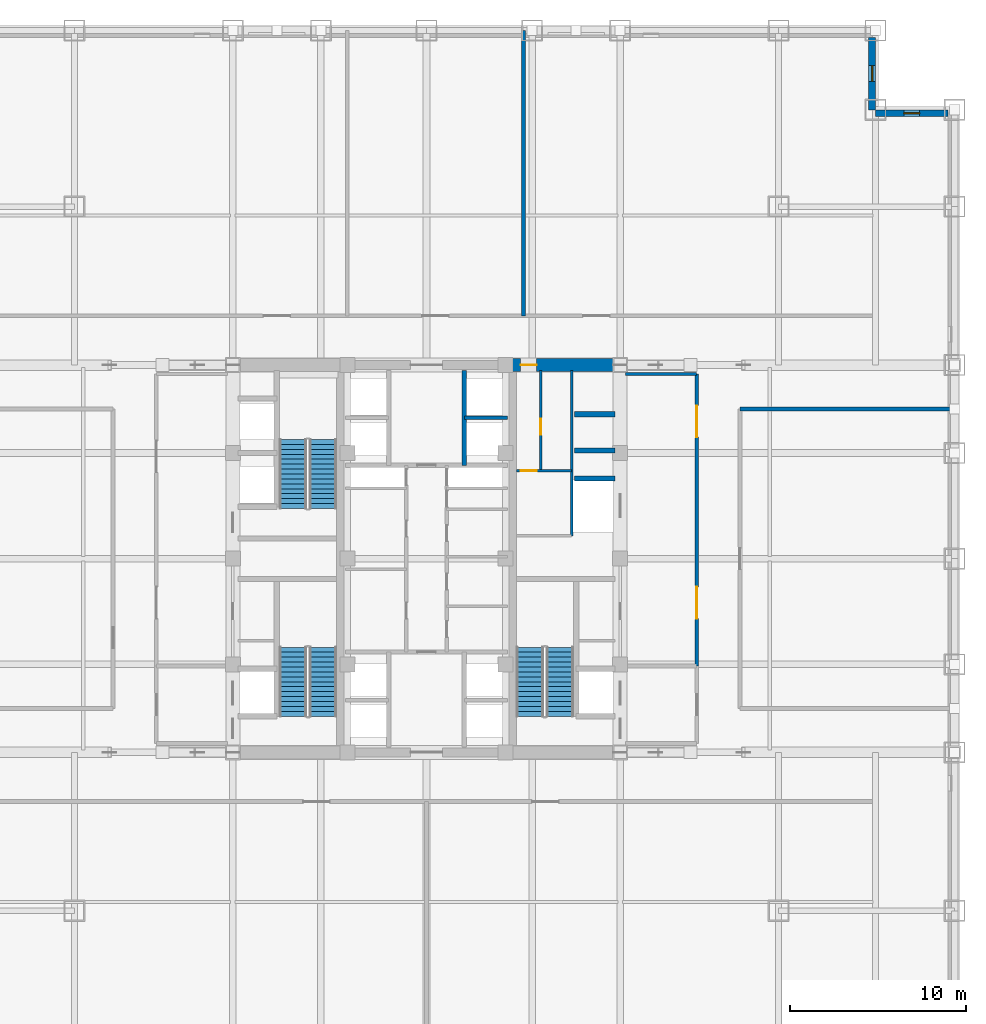
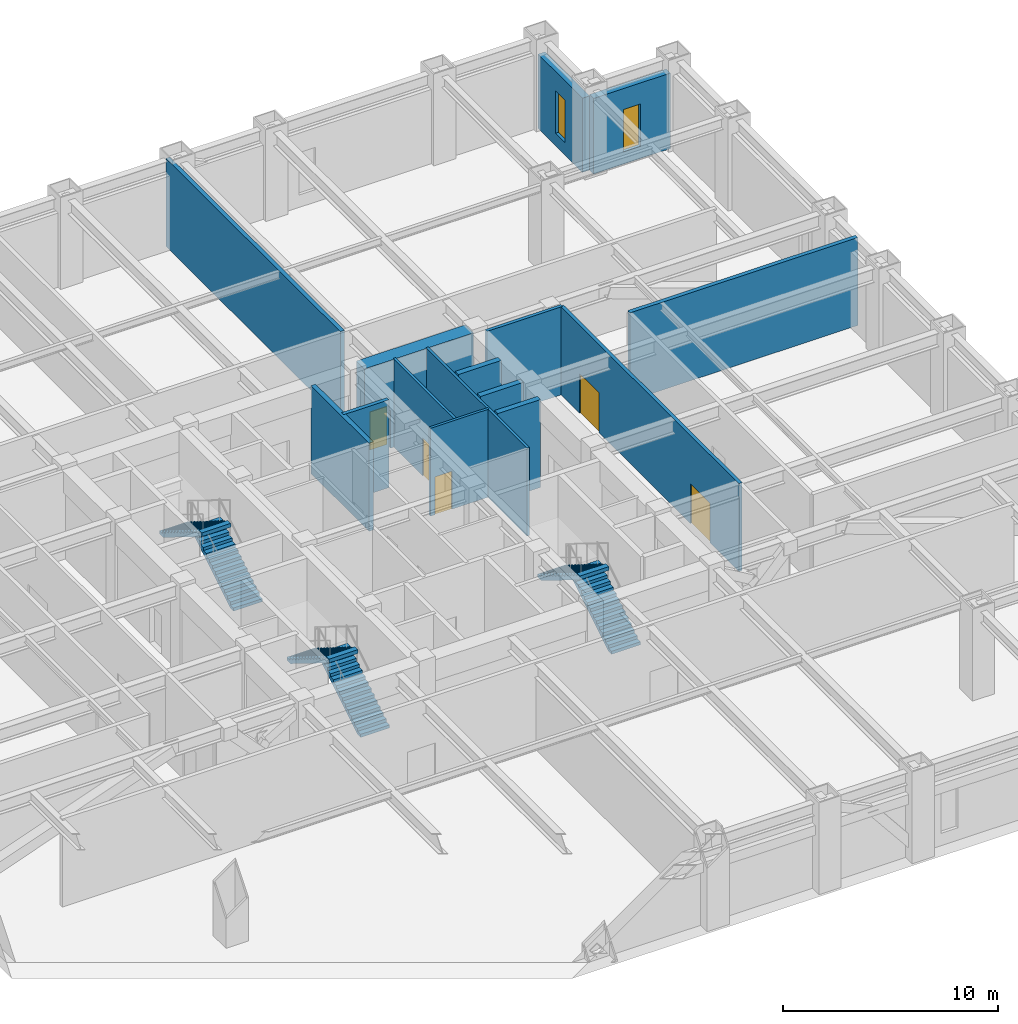
# One storey, part 10 of 12: 15 walls, 6 stair flights, 5 doors, 2 windows, 7 openings, 3 elements without a shape of their own.
"""IFC4 building model written with IfcOpenShell, lengths in metres."""

from ifc_helpers import new_model, si_unit, direction, frame, frame_2d, origin, place, context, subcontext, project, spatial, polyline, rectangle, outline, extrude, source, transform, mapped, material, layer, layer_set, type_object, element, fill, aggregate, save


model = new_model("IFC4")

# Units and contexts
model_context = context("Model", 3, precision=1e-05, world=origin(), true_north=direction((0.0, 1.0)))
body_context = subcontext(model_context, "Body", "Model", "MODEL_VIEW")
ifc_project = project(units=[si_unit("LENGTHUNIT", "METRE"), si_unit("AREAUNIT", "SQUARE_METRE"), si_unit("VOLUMEUNIT", "CUBIC_METRE"), si_unit("PLANEANGLEUNIT", "RADIAN"), si_unit("MASSUNIT", "GRAM", prefix="KILO")], contexts=[model_context])

# Site, building, storey
site_placement = place(None, origin())
site = spatial("IfcSite", under=ifc_project, at=site_placement, CompositionType="ELEMENT")
building_placement = place(site_placement, origin())
building = spatial("IfcBuilding", under=site, at=building_placement, Name="Khorayat Bourse Tower", CompositionType="ELEMENT")
storey_placement = place(building_placement, frame((0.0, 0.0, 149.89990234375)))
storey = spatial("IfcBuildingStorey", under=building, at=storey_placement, Name="L34", CompositionType="ELEMENT", Elevation=149.89990234375)

# Wall, opening, door
ifc_material_1 = material(Name="Concrete C72/90", Category="concrete")
ifc_layer_1 = layer(ifc_material_1, 0.75)
ifc_layer_set_1 = layer_set([ifc_layer_1], Name="Concrete C72/90")
wall_type_1 = type_object("IfcWallType", Name="WAL-CORE-750", PredefinedType="SHEAR", material=ifc_layer_set_1)
shared_shape_1 = source(origin(), body_context, "Body", "SweptSolid", [
    extrude(rectangle(XDim=5.849853515625, YDim=0.75, at=frame_2d((2.9248046875, 0.0))), origin(), (0.0, 0.0, 1.0), 4.97998046875),
])
wall_1_placement = place(storey_placement, frame((4.85009765625, 11.0, 0.0), z_axis=(0.0, 0.0, 1.0), x_axis=(1.0, 0.0, 0.0)))
wall_1 = element("IfcWall", 1, at=wall_1_placement, inside=storey, type_object=wall_type_1, Name="L34 Core Shear Wall PIER-EN", PredefinedType="SHEAR", context=body_context, shape_type="MappedRepresentation", body=[
    mapped(shared_shape_1, transform((0.0, 0.0, 0.0), scale=1.0)),
])
shared_shape_2 = source(origin(), body_context, "Body", "SweptSolid", [
    extrude(rectangle(XDim=0.89990234375, YDim=2.14990234375, at=frame_2d((0.449951171875, 1.074951171875))), frame((0.0, 0.385009765625, 0.0), z_axis=(0.0, -1.0, 0.0), x_axis=(1.0, 0.0, 0.0)), (0.0, 0.0, 1.0), 0.77001953125),
])
opening_1_placement = place(wall_1_placement, frame((0.5, 0.0, 0.0)))
opening_1 = element("IfcOpeningElement", 2, at=opening_1_placement, cuts=wall_1, Name="Opening DI-06", PredefinedType="OPENING", context=body_context, shape_type="MappedRepresentation", body=[
    mapped(shared_shape_2, transform((0.0, 0.0, 0.0), scale=1.0)),
])
ifc_material_2 = material(Name="Moisture-resistant laminate washroom door")
door_type_1 = type_object("IfcDoorType", Name="DR-INT-WC-900", OperationType="NOTDEFINED", PredefinedType="DOOR", material=ifc_material_2)
shared_shape_3 = source(origin(), body_context, "Body", "SweptSolid", [
    extrude(rectangle(XDim=0.89990234375, YDim=2.14990234375, at=frame_2d((0.449951171875, 1.074951171875))), frame((0.0, 0.02490234375, 0.0), z_axis=(0.0, -1.0, 0.0), x_axis=(1.0, 0.0, 0.0)), (0.0, 0.0, 1.0), 0.050048828125),
])
door_1_placement = place(opening_1_placement, origin())
door_1 = element("IfcDoor", 3, at=door_1_placement, inside=storey, type_object=door_type_1, Name="L34 Core Washroom Lobby Door", OperationType="SINGLE_SWING_LEFT", OverallHeight=2.14990234375, OverallWidth=0.89990234375, PredefinedType="DOOR", context=body_context, shape_type="MappedRepresentation", body=[
    mapped(shared_shape_3, transform((0.0, 0.0, 0.0), scale=1.0)),
])
fill(opening_1, door_1)

# Wall, opening, window
ifc_material_3 = material(Name="Precast concrete C45/55", Category="concrete")
ifc_layer_2 = layer(ifc_material_3, 0.3798828125)
ifc_layer_set_2 = layer_set([ifc_layer_2], Name="Precast concrete C45/55")
wall_type_2 = type_object("IfcWallType", Name="WAL-EXT-STONE-380", PredefinedType="STANDARD", material=ifc_layer_set_2)
shared_shape_4 = source(origin(), body_context, "Body", "SweptSolid", [
    extrude(rectangle(XDim=4.1201171875, YDim=0.3798828125, at=frame_2d((2.06005859375, 0.0))), origin(), (0.0, 0.0, 1.0), 4.28515625),
])
wall_2_placement = place(storey_placement, frame((25.5, 25.31005859375, 0.0), z_axis=(0.0, 0.0, 1.0), x_axis=(1.0, 0.0, 0.0)))
wall_2 = element("IfcWall", 4, at=wall_2_placement, inside=storey, type_object=wall_type_2, Name="L34 Re-Entrant Notch Limestone Wall NE-H", PredefinedType="STANDARD", context=body_context, shape_type="MappedRepresentation", body=[
    mapped(shared_shape_4, transform((0.0, 0.0, 0.0), scale=1.0)),
])
shared_shape_5 = source(origin(), body_context, "Body", "SweptSolid", [
    extrude(rectangle(XDim=0.89990234375, YDim=2.39990234375, at=frame_2d((0.449951171875, 1.199951171875))), frame((0.0, 0.199951171875, 0.0), z_axis=(0.0, -1.0, 0.0), x_axis=(1.0, 0.0, 0.0)), (0.0, 0.0, 1.0), 0.39990234375),
])
opening_2_placement = place(wall_2_placement, frame((1.610107421875, 0.0, 0.699951171875)))
opening_2 = element("IfcOpeningElement", 5, at=opening_2_placement, cuts=wall_2, Name="Opening WN-03", PredefinedType="OPENING", context=body_context, shape_type="MappedRepresentation", body=[
    mapped(shared_shape_5, transform((0.0, 0.0, 0.0), scale=1.0)),
])
ifc_material_4 = material(Name="Deep-reveal solar-control double glazing", Category="glass")
window_type = type_object("IfcWindowType", Name="WIN-SLOT-900x2400", PartitioningType="SINGLE_PANEL", PredefinedType="WINDOW", material=ifc_material_4)
shared_shape_6 = source(origin(), body_context, "Body", "SweptSolid", [
    extrude(rectangle(XDim=0.89990234375, YDim=2.39990234375, at=frame_2d((0.449951171875, 1.199951171875))), frame((0.0, 0.030029296875, 0.0), z_axis=(0.0, -1.0, 0.0), x_axis=(1.0, 0.0, 0.0)), (0.0, 0.0, 1.0), 0.06005859375),
])
window_1_placement = place(opening_2_placement, origin())
window_1 = element("IfcWindow", 6, at=window_1_placement, inside=storey, type_object=window_type, Name="L34 Facade Window 1", OverallHeight=2.39990234375, OverallWidth=0.89990234375, PartitioningType="SINGLE_PANEL", PredefinedType="WINDOW", context=body_context, shape_type="MappedRepresentation", body=[
    mapped(shared_shape_6, transform((0.0, 0.0, 0.0), scale=1.0)),
])
fill(opening_2, window_1)

shared_shape_7 = source(origin(), body_context, "Body", "SweptSolid", [
    extrude(rectangle(XDim=4.1201171875, YDim=0.3798828125, at=frame_2d((2.06005859375, 0.0))), origin(), (0.0, 0.0, 1.0), 4.205078125),
])
wall_3_placement = place(storey_placement, frame((25.31005859375, 25.5, 0.0), z_axis=(0.0, 0.0, 1.0), x_axis=(0.0, 1.0, 0.0)))
wall_3 = element("IfcWall", 7, at=wall_3_placement, inside=storey, type_object=wall_type_2, Name="L34 Re-Entrant Notch Limestone Wall NE-V", PredefinedType="STANDARD", context=body_context, shape_type="MappedRepresentation", body=[
    mapped(shared_shape_7, transform((0.0, 0.0, 0.0), scale=1.0)),
])
opening_3_placement = place(wall_3_placement, frame((1.610107421875, 0.0, 0.699951171875)))
opening_3 = element("IfcOpeningElement", 8, at=opening_3_placement, cuts=wall_3, Name="Opening WN-03", PredefinedType="OPENING", context=body_context, shape_type="MappedRepresentation", body=[
    mapped(shared_shape_5, transform((0.0, 0.0, 0.0), scale=1.0)),
])
window_2_placement = place(opening_3_placement, origin())
window_2 = element("IfcWindow", 9, at=window_2_placement, inside=storey, type_object=window_type, Name="L34 Facade Window 1", OverallHeight=2.39990234375, OverallWidth=0.89990234375, PartitioningType="SINGLE_PANEL", PredefinedType="WINDOW", context=body_context, shape_type="MappedRepresentation", body=[
    mapped(shared_shape_6, transform((0.0, 0.0, 0.0), scale=1.0)),
])
fill(opening_3, window_2)

# Walls
ifc_material_5 = material(Name="Concrete C50/60", Category="concrete")
ifc_layer_3 = layer(ifc_material_5, 0.300048828125)
ifc_layer_set_3 = layer_set([ifc_layer_3], Name="Concrete C50/60")
wall_type_3 = type_object("IfcWallType", Name="WAL-SHAFT-300", PredefinedType="SHEAR", material=ifc_layer_set_3)
shared_shape_8 = source(origin(), body_context, "Body", "SweptSolid", [
    extrude(rectangle(XDim=2.300048828125, YDim=0.300048828125, at=frame_2d((1.14990234375, 0.0))), origin(), (0.0, 0.0, 1.0), 4.97998046875),
])
for number, where, z_axis, x_axis, name in (
    (10, (8.39990234375, 4.550048828125, 0.0), (0.0, 0.0, 1.0), (1.0, 0.0, 0.0), "L34 Partition WAL-L34-EPIER-SVLN"),
    (11, (8.39990234375, 6.14990234375, 0.0), (0.0, 0.0, 1.0), (1.0, 0.0, 0.0), "L34 Partition WAL-L34-EPIER-H3S"),
    (12, (8.39990234375, 8.199951171875, 0.0), (0.0, 0.0, 1.0), (1.0, 0.0, 0.0), "L34 Partition WAL-L34-EPIER-H34"),
):
    element("IfcWall", number, at=place(storey_placement, frame(where, z_axis=z_axis, x_axis=x_axis)), inside=storey, type_object=wall_type_3, Name=name, PredefinedType="SHEAR", context=body_context, shape_type="MappedRepresentation", body=[
        mapped(shared_shape_8, transform((0.0, 0.0, 0.0), scale=1.0)),
    ])
ifc_material_6 = material(Name="Moisture-resistant masonry partition", Category="masonry")
ifc_layer_4 = layer(ifc_material_6, 0.139892578125)
ifc_layer_set_4 = layer_set([ifc_layer_4], Name="Moisture-resistant masonry partition")
wall_type_4 = type_object("IfcWallType", Name="WAL-PART-WET-140", PredefinedType="PARTITIONING", material=ifc_layer_set_4)
shared_shape_9 = source(origin(), body_context, "Body", "SweptSolid", [
    extrude(rectangle(XDim=9.39990234375, YDim=0.139892578125, at=frame_2d((4.699951171875, 0.0))), origin(), (0.0, 0.0, 1.0), 4.97998046875),
])
wall_4_placement = place(storey_placement, frame((8.25, 1.300048828125, 0.0), z_axis=(0.0, 0.0, 1.0), x_axis=(0.0, 1.0, 0.0)))
element("IfcWall", 13, at=wall_4_placement, inside=storey, type_object=wall_type_4, Name="L34 Partition WAL-L34-ECORE-E", PredefinedType="PARTITIONING", context=body_context, shape_type="MappedRepresentation", body=[
    mapped(shared_shape_9, transform((0.0, 0.0, 0.0), scale=1.0)),
])

# Wall, opening, door
shared_shape_10 = source(origin(), body_context, "Body", "SweptSolid", [
    extrude(rectangle(XDim=3.14990234375, YDim=0.139892578125, at=frame_2d((1.574951171875, 0.0))), origin(), (0.0, 0.0, 1.0), 4.97998046875),
])
wall_5_placement = place(storey_placement, frame((5.10009765625, 5.0, 0.0), z_axis=(0.0, 0.0, 1.0), x_axis=(1.0, 0.0, 0.0)))
wall_5 = element("IfcWall", 14, at=wall_5_placement, inside=storey, type_object=wall_type_4, Name="L34 Partition WAL-L34-ECW-BOT", PredefinedType="PARTITIONING", context=body_context, shape_type="MappedRepresentation", body=[
    mapped(shared_shape_10, transform((0.0, 0.0, 0.0), scale=1.0)),
])
shared_shape_11 = source(origin(), body_context, "Body", "SweptSolid", [
    extrude(rectangle(XDim=0.89990234375, YDim=2.14990234375, at=frame_2d((0.449951171875, 1.074951171875))), frame((0.0, 0.079833984375, 0.0), z_axis=(0.0, -1.0, 0.0), x_axis=(1.0, 0.0, 0.0)), (0.0, 0.0, 1.0), 0.159912109375),
])
opening_4_placement = place(wall_5_placement, frame((0.25, 0.0, 0.0)))
opening_4 = element("IfcOpeningElement", 15, at=opening_4_placement, cuts=wall_5, Name="Opening DI-06", PredefinedType="OPENING", context=body_context, shape_type="MappedRepresentation", body=[
    mapped(shared_shape_11, transform((0.0, 0.0, 0.0), scale=1.0)),
])
door_2_placement = place(opening_4_placement, origin())
door_2 = element("IfcDoor", 16, at=door_2_placement, inside=storey, type_object=door_type_1, Name="L34 Shared Washroom Door", OperationType="SINGLE_SWING_LEFT", OverallHeight=2.14990234375, OverallWidth=0.89990234375, PredefinedType="DOOR", context=body_context, shape_type="MappedRepresentation", body=[
    mapped(shared_shape_3, transform((0.0, 0.0, 0.0), scale=1.0)),
])
fill(opening_4, door_2)

shared_shape_12 = source(origin(), body_context, "Body", "SweptSolid", [
    extrude(rectangle(XDim=5.699951171875, YDim=0.139892578125, at=frame_2d((2.85009765625, 0.0))), origin(), (0.0, 0.0, 1.0), 4.97998046875),
])
wall_6_placement = place(storey_placement, frame((6.5, 5.0, 0.0), z_axis=(0.0, 0.0, 1.0), x_axis=(0.0, 1.0, 0.0)))
wall_6 = element("IfcWall", 17, at=wall_6_placement, inside=storey, type_object=wall_type_4, Name="L34 Partition WAL-L34-ECW-MID", PredefinedType="PARTITIONING", context=body_context, shape_type="MappedRepresentation", body=[
    mapped(shared_shape_12, transform((0.0, 0.0, 0.0), scale=1.0)),
])
opening_5_placement = place(wall_6_placement, frame((2.050048828125, 0.0, 0.0)))
opening_5 = element("IfcOpeningElement", 18, at=opening_5_placement, cuts=wall_6, Name="Opening DI-06", PredefinedType="OPENING", context=body_context, shape_type="MappedRepresentation", body=[
    mapped(shared_shape_11, transform((0.0, 0.0, 0.0), scale=1.0)),
])
door_3_placement = place(opening_5_placement, origin())
door_3 = element("IfcDoor", 19, at=door_3_placement, inside=storey, type_object=door_type_1, Name="L34 Accessible WC Door", OperationType="SINGLE_SWING_RIGHT", OverallHeight=2.14990234375, OverallWidth=0.89990234375, PredefinedType="DOOR", context=body_context, shape_type="MappedRepresentation", body=[
    mapped(shared_shape_3, transform((0.0, 0.0, 0.0), scale=1.0)),
])
fill(opening_5, door_3)

# Wall
ifc_material_7 = material(Name="Gypsum plasterboard acoustic stud wall")
ifc_layer_5 = layer(ifc_material_7, 0.179931640625)
ifc_layer_set_5 = layer_set([ifc_layer_5], Name="Gypsum plasterboard acoustic stud wall")
wall_type_5 = type_object("IfcWallType", Name="WAL-PART-CORR-180", PredefinedType="PARTITIONING", material=ifc_layer_set_5)
shared_shape_13 = source(origin(), body_context, "Body", "SweptSolid", [
    extrude(rectangle(XDim=4.050048828125, YDim=0.179931640625, at=frame_2d((2.02490234375, 0.0))), origin(), (0.0, 0.0, 1.0), 4.97998046875),
])
wall_7_placement = place(storey_placement, frame((11.300048828125, 10.5, 0.0), z_axis=(0.0, 0.0, 1.0), x_axis=(1.0, 0.0, 0.0)))
element("IfcWall", 20, at=wall_7_placement, inside=storey, type_object=wall_type_5, Name="L34 Partition WAL-L34-ELOB-N", PredefinedType="PARTITIONING", context=body_context, shape_type="MappedRepresentation", body=[
    mapped(shared_shape_13, transform((0.0, 0.0, 0.0), scale=1.0)),
])

# Wall, openings, doors
shared_shape_14 = source(origin(), body_context, "Body", "SweptSolid", [
    extrude(rectangle(XDim=16.60009765625, YDim=0.179931640625, at=frame_2d((8.300048828125, 0.0))), origin(), (0.0, 0.0, 1.0), 4.97998046875),
])
wall_8_placement = place(storey_placement, frame((15.35009765625, -6.10009765625, 0.0), z_axis=(0.0, 0.0, 1.0), x_axis=(0.0, 1.0, 0.0)))
wall_8 = element("IfcWall", 21, at=wall_8_placement, inside=storey, type_object=wall_type_5, Name="L34 Partition WAL-L34-ELOB-E", PredefinedType="PARTITIONING", context=body_context, shape_type="MappedRepresentation", body=[
    mapped(shared_shape_14, transform((0.0, 0.0, 0.0), scale=1.0)),
])
shared_shape_15 = source(origin(), body_context, "Body", "SweptSolid", [
    extrude(rectangle(XDim=1.800048828125, YDim=2.25, at=frame_2d((0.89990234375, 1.125))), frame((0.0, 0.099853515625, 0.0), z_axis=(0.0, -1.0, 0.0), x_axis=(1.0, 0.0, 0.0)), (0.0, 0.0, 1.0), 0.199951171875),
])
opening_6_placement = place(wall_8_placement, frame((2.699951171875, 0.0, 0.0)))
opening_6 = element("IfcOpeningElement", 22, at=opening_6_placement, cuts=wall_8, Name="Opening DI-03", PredefinedType="OPENING", context=body_context, shape_type="MappedRepresentation", body=[
    mapped(shared_shape_15, transform((0.0, 0.0, 0.0), scale=1.0)),
])
opening_7_placement = place(wall_8_placement, frame((13.0, 0.0, 0.0)))
opening_7 = element("IfcOpeningElement", 23, at=opening_7_placement, cuts=wall_8, Name="Opening DI-03", PredefinedType="OPENING", context=body_context, shape_type="MappedRepresentation", body=[
    mapped(shared_shape_15, transform((0.0, 0.0, 0.0), scale=1.0)),
])
ifc_material_8 = material(Name="Fire-rated hardwood vision-panel double leaf", Category="wood")
door_type_2 = type_object("IfcDoorType", Name="DR-INT-CORR-1800", OperationType="NOTDEFINED", PredefinedType="DOOR", material=ifc_material_8)
shared_shape_16 = source(origin(), body_context, "Body", "SweptSolid", [
    extrude(rectangle(XDim=1.800048828125, YDim=2.25, at=frame_2d((0.89990234375, 1.125))), frame((0.0, 0.02490234375, 0.0), z_axis=(0.0, -1.0, 0.0), x_axis=(1.0, 0.0, 0.0)), (0.0, 0.0, 1.0), 0.050048828125),
])
door_4_placement = place(opening_6_placement, origin())
door_4 = element("IfcDoor", 24, at=door_4_placement, inside=storey, type_object=door_type_2, Name="L34 East Core Lobby South Door", OperationType="SINGLE_SWING_RIGHT", OverallHeight=2.25, OverallWidth=1.800048828125, PredefinedType="DOOR", context=body_context, shape_type="MappedRepresentation", body=[
    mapped(shared_shape_16, transform((0.0, 0.0, 0.0), scale=1.0)),
])
fill(opening_6, door_4)
door_5_placement = place(opening_7_placement, origin())
door_5 = element("IfcDoor", 25, at=door_5_placement, inside=storey, type_object=door_type_2, Name="L34 East Core Lobby North Door", OperationType="SINGLE_SWING_LEFT", OverallHeight=2.25, OverallWidth=1.800048828125, PredefinedType="DOOR", context=body_context, shape_type="MappedRepresentation", body=[
    mapped(shared_shape_16, transform((0.0, 0.0, 0.0), scale=1.0)),
])
fill(opening_7, door_5)

# Walls
shared_shape_17 = source(origin(), body_context, "Body", "SweptSolid", [
    extrude(rectangle(XDim=5.39990234375, YDim=0.25, at=frame_2d((2.699951171875, 0.0))), origin(), (0.0, 0.0, 1.0), 4.97998046875),
])
wall_9_placement = place(storey_placement, frame((2.14990234375, 5.300048828125, 0.0), z_axis=(0.0, 0.0, 1.0), x_axis=(0.0, 1.0, 0.0)))
element("IfcWall", 26, at=wall_9_placement, inside=storey, type_object=wall_type_3, Name="L34 Partition WAL-L34-B2-E", PredefinedType="SHEAR", context=body_context, shape_type="MappedRepresentation", body=[
    mapped(shared_shape_17, transform((0.0, 0.0, 0.0), scale=1.0)),
])
shared_shape_18 = source(origin(), body_context, "Body", "SweptSolid", [
    extrude(rectangle(XDim=2.4501953125, YDim=0.199951171875, at=frame_2d((1.22509765625, 0.0))), origin(), (0.0, 0.0, 1.0), 4.97998046875),
])
wall_10_placement = place(storey_placement, frame((2.14990234375, 8.0, 0.0), z_axis=(0.0, 0.0, 1.0), x_axis=(1.0, 0.0, 0.0)))
element("IfcWall", 27, at=wall_10_placement, inside=storey, type_object=wall_type_3, Name="L34 Partition WAL-L34-B2-ME", PredefinedType="SHEAR", context=body_context, shape_type="MappedRepresentation", body=[
    mapped(shared_shape_18, transform((0.0, 0.0, 0.0), scale=1.0)),
])
ifc_material_9 = material(Name="Aerated concrete blockwork", Category="masonry")
ifc_layer_6 = layer(ifc_material_9, 0.219970703125)
ifc_layer_set_6 = layer_set([ifc_layer_6], Name="Aerated concrete blockwork")
wall_type_6 = type_object("IfcWallType", Name="WAL-PART-FF-220", PredefinedType="PARTITIONING", material=ifc_layer_set_6)
shared_shape_19 = source(origin(), body_context, "Body", "SweptSolid", [
    extrude(rectangle(XDim=16.199951171875, YDim=0.219970703125, at=frame_2d((8.10009765625, 0.0))), origin(), (0.0, 0.0, 1.0), 4.97998046875),
])
wall_11_placement = place(storey_placement, frame((5.5, 13.800048828125, 0.0), z_axis=(0.0, 0.0, 1.0), x_axis=(0.0, 1.0, 0.0)))
element("IfcWall", 28, at=wall_11_placement, inside=storey, type_object=wall_type_6, Name="L34 Partition WAL-L34-PLN-D2", PredefinedType="PARTITIONING", context=body_context, shape_type="MappedRepresentation", body=[
    mapped(shared_shape_19, transform((0.0, 0.0, 0.0), scale=1.0)),
])
shared_shape_20 = source(origin(), body_context, "Body", "SweptSolid", [
    extrude(rectangle(XDim=12.199951171875, YDim=0.219970703125, at=frame_2d((6.10009765625, 0.0))), origin(), (0.0, 0.0, 1.0), 4.97998046875),
])
wall_12_placement = place(storey_placement, frame((17.800048828125, 8.5, 0.0), z_axis=(0.0, 0.0, 1.0), x_axis=(1.0, 0.0, 0.0)))
element("IfcWall", 29, at=wall_12_placement, inside=storey, type_object=wall_type_6, Name="L34 Partition WAL-L34-PLE-N", PredefinedType="PARTITIONING", context=body_context, shape_type="MappedRepresentation", body=[
    mapped(shared_shape_20, transform((0.0, 0.0, 0.0), scale=1.0)),
])

# Stair, stair flights
ifc_material_10 = material(Name="Concrete C40/50", Category="concrete")
stair_type = type_object("IfcStairType", Name="STR-CORE-1550", PredefinedType="HALF_TURN_STAIR", material=ifc_material_10)
stair_1_placement = place(storey_placement, origin())
stair_1 = element("IfcStair", 30, at=stair_1_placement, inside=storey, type_object=stair_type, Name="L34 Exit Stair ST-1", PredefinedType="HALF_TURN_STAIR")
stair_flight_type = type_object("IfcStairFlightType", Name="FLT-CORE-1550", PredefinedType="STRAIGHT", material=ifc_material_10)
shared_shape_21 = source(origin(), body_context, "Body", "SweptSolid", [
    extrude(outline(polyline([(0.0, 0.0), (0.0, 0.17333984375), (0.280029296875, 0.17333984375), (0.280029296875, 0.3466796875), (0.56005859375, 0.3466796875), (0.56005859375, 0.52001953125), (0.840087890625, 0.52001953125), (0.840087890625, 0.693359375), (1.1201171875, 0.693359375), (1.1201171875, 0.86669921875), (1.39990234375, 0.86669921875), (1.39990234375, 1.0400390625), (1.679931640625, 1.0400390625), (1.679931640625, 1.21337890625), (1.9599609375, 1.21337890625), (1.9599609375, 1.38671875), (2.239990234375, 1.38671875), (2.239990234375, 1.56005859375), (2.52001953125, 1.56005859375), (2.52001953125, 1.7333984375), (2.800048828125, 1.7333984375), (2.800048828125, 1.90673828125), (3.080078125, 1.90673828125), (3.080078125, 2.080078125), (3.360107421875, 2.080078125), (3.360107421875, 2.25341796875), (3.639892578125, 2.25341796875), (3.639892578125, 2.4267578125), (3.919921875, 2.4267578125), (3.919921875, 2.60009765625), (3.919921875, 2.215087890625), (0.341796875, 0.0), (0.0, 0.0)])), frame((0.0, 0.77490234375, 0.0), z_axis=(0.0, -1.0, 0.0), x_axis=(1.0, 0.0, 0.0)), (0.0, 0.0, 1.0), 1.550048828125),
])
stair_flight_1_placement = place(storey_placement, frame((-5.875, -8.949951171875, 0.0), z_axis=(0.0, 0.0, 1.0), x_axis=(0.0, 1.0, 0.0)))
stair_flight_1 = element("IfcStairFlight", 31, at=stair_flight_1_placement, type_object=stair_flight_type, Name="ST-1 flight 1", NumberOfRisers=15, NumberOfTreads=14, PredefinedType="STRAIGHT", RiserHeight=0.173333333, TreadLength=0.28, context=body_context, shape_type="MappedRepresentation", body=[
    mapped(shared_shape_21, transform((0.0, 0.0, 0.0), scale=1.0)),
])
stair_flight_2_placement = place(storey_placement, frame((-7.574951171875, -5.030029296875, 2.60009765625), z_axis=(0.0, 0.0, 1.0), x_axis=(0.0, -1.0, 0.0)))
stair_flight_2 = element("IfcStairFlight", 32, at=stair_flight_2_placement, type_object=stair_flight_type, Name="ST-1 flight 2", NumberOfRisers=15, NumberOfTreads=14, PredefinedType="STRAIGHT", RiserHeight=0.173333333, TreadLength=0.28, context=body_context, shape_type="MappedRepresentation", body=[
    mapped(shared_shape_21, transform((0.0, 0.0, 0.0), scale=1.0)),
])
aggregate(stair_1, [stair_flight_1, stair_flight_2])

stair_2_placement = place(storey_placement, origin())
stair_2 = element("IfcStair", 33, at=stair_2_placement, inside=storey, type_object=stair_type, Name="L34 Exit Stair ST-2", PredefinedType="HALF_TURN_STAIR")
stair_flight_3_placement = place(storey_placement, frame((-5.875, 2.85009765625, 0.0), z_axis=(0.0, 0.0, 1.0), x_axis=(0.0, 1.0, 0.0)))
stair_flight_3 = element("IfcStairFlight", 34, at=stair_flight_3_placement, type_object=stair_flight_type, Name="ST-2 flight 1", NumberOfRisers=15, NumberOfTreads=14, PredefinedType="STRAIGHT", RiserHeight=0.173333333, TreadLength=0.28, context=body_context, shape_type="MappedRepresentation", body=[
    mapped(shared_shape_21, transform((0.0, 0.0, 0.0), scale=1.0)),
])
stair_flight_4_placement = place(storey_placement, frame((-7.574951171875, 6.77001953125, 2.60009765625), z_axis=(0.0, 0.0, 1.0), x_axis=(0.0, -1.0, 0.0)))
stair_flight_4 = element("IfcStairFlight", 35, at=stair_flight_4_placement, type_object=stair_flight_type, Name="ST-2 flight 2", NumberOfRisers=15, NumberOfTreads=14, PredefinedType="STRAIGHT", RiserHeight=0.173333333, TreadLength=0.28, context=body_context, shape_type="MappedRepresentation", body=[
    mapped(shared_shape_21, transform((0.0, 0.0, 0.0), scale=1.0)),
])
aggregate(stair_2, [stair_flight_3, stair_flight_4])

stair_3_placement = place(storey_placement, origin())
stair_3 = element("IfcStair", 36, at=stair_3_placement, inside=storey, type_object=stair_type, Name="L34 Exit Stair ST-3", PredefinedType="HALF_TURN_STAIR")
stair_flight_5_placement = place(storey_placement, frame((7.574951171875, -8.949951171875, 0.0), z_axis=(0.0, 0.0, 1.0), x_axis=(0.0, 1.0, 0.0)))
stair_flight_5 = element("IfcStairFlight", 37, at=stair_flight_5_placement, type_object=stair_flight_type, Name="ST-3 flight 1", NumberOfRisers=15, NumberOfTreads=14, PredefinedType="STRAIGHT", RiserHeight=0.173333333, TreadLength=0.28, context=body_context, shape_type="MappedRepresentation", body=[
    mapped(shared_shape_21, transform((0.0, 0.0, 0.0), scale=1.0)),
])
stair_flight_6_placement = place(storey_placement, frame((5.875, -5.030029296875, 2.60009765625), z_axis=(0.0, 0.0, 1.0), x_axis=(0.0, -1.0, 0.0)))
stair_flight_6 = element("IfcStairFlight", 38, at=stair_flight_6_placement, type_object=stair_flight_type, Name="ST-3 flight 2", NumberOfRisers=15, NumberOfTreads=14, PredefinedType="STRAIGHT", RiserHeight=0.173333333, TreadLength=0.28, context=body_context, shape_type="MappedRepresentation", body=[
    mapped(shared_shape_21, transform((0.0, 0.0, 0.0), scale=1.0)),
])
aggregate(stair_3, [stair_flight_5, stair_flight_6])

save(model, "model.ifc")
